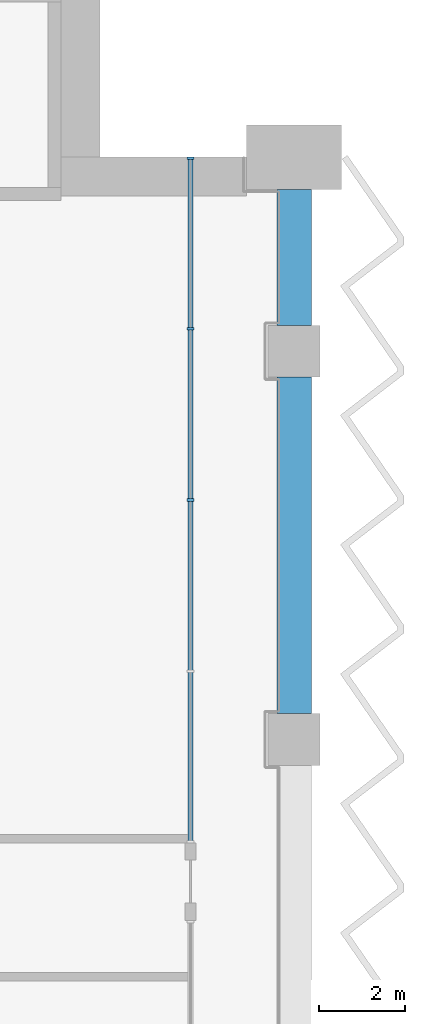
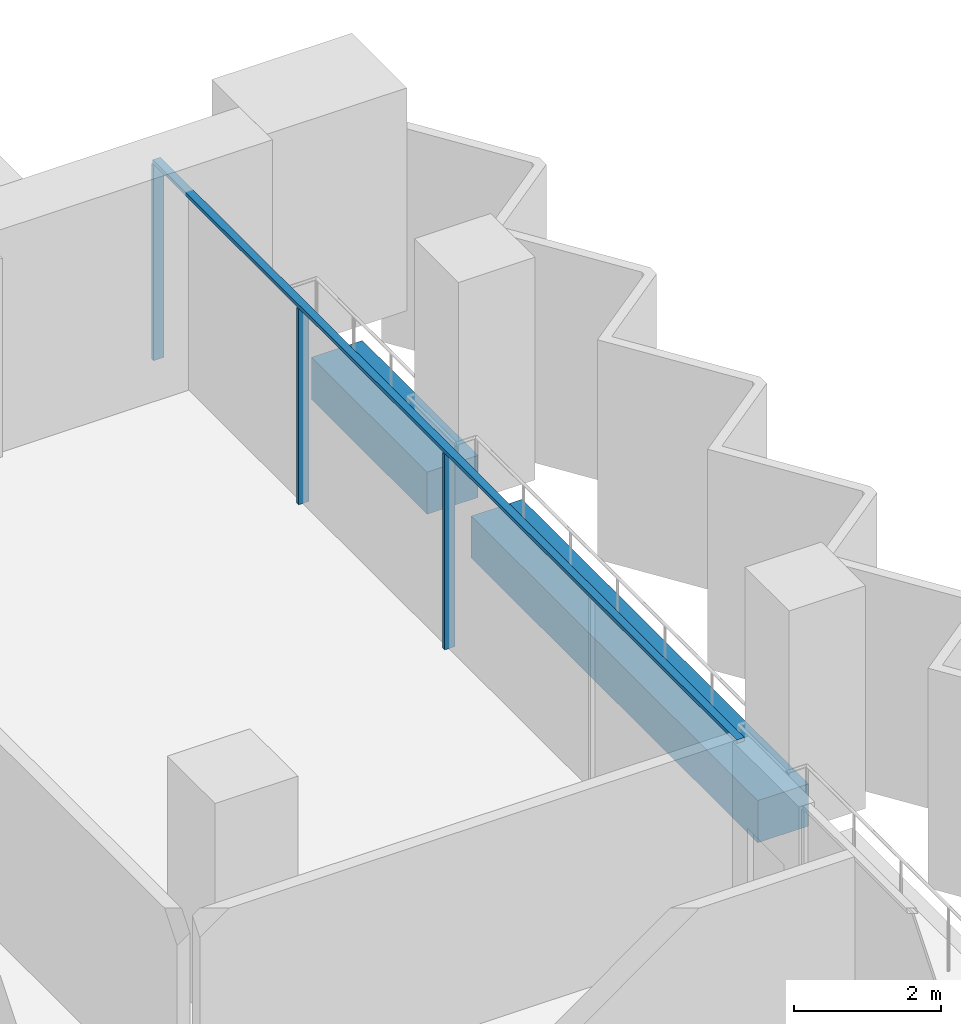
# One storey, part 6 of 23: 4 members, 2 beams, 1 element without a shape of its own.
"""IFC4 building model written with IfcOpenShell, lengths in metres."""

from ifc_helpers import new_model, si_unit, direction, frame, origin, origin_2d, place, context, subcontext, project, spatial, rectangle, extrude, material, material_profile, profile_set, type_object, element, aggregate, save


model = new_model("IFC4")

# Units and contexts
model_context = context("Model", 3, precision=1e-05, world=origin(), true_north=direction((0.0, 1.0)))
body_context = subcontext(model_context, "Body", "Model", "MODEL_VIEW")
ifc_project = project(units=[si_unit("LENGTHUNIT", "METRE"), si_unit("AREAUNIT", "SQUARE_METRE"), si_unit("VOLUMEUNIT", "CUBIC_METRE"), si_unit("PLANEANGLEUNIT", "RADIAN"), si_unit("MASSUNIT", "GRAM", prefix="KILO")], contexts=[model_context])

# Site, building, storey
site_placement = place(None, origin())
site = spatial("IfcSite", under=ifc_project, at=site_placement, CompositionType="ELEMENT")
building_placement = place(site_placement, origin())
building = spatial("IfcBuilding", under=site, at=building_placement, Name="Hunhe Ridgeline Campus", CompositionType="ELEMENT")
storey_placement = place(building_placement, frame((0.0, 0.0, 95.89990234375)))
storey = spatial("IfcBuildingStorey", under=building, at=storey_placement, Name="L23", CompositionType="ELEMENT", Elevation=95.89990234375)

# Curtain wall, members
ifc_material_1 = material(Name="Aluminium 6063", Category="aluminium")
curtain_wall_type = type_object("IfcCurtainWallType", Name="Curtain wall CW-1", PredefinedType="NOTDEFINED", material=ifc_material_1)
curtain_wall_placement = place(storey_placement, origin())
curtain_wall = element("IfcCurtainWall", 1, at=curtain_wall_placement, inside=storey, type_object=curtain_wall_type, Name="Curtain wall 15", PredefinedType="NOTDEFINED")
ifc_material_profile_1 = material_profile(ifc_material_1, rectangle(XDim=0.159912109375, YDim=0.06005859375, at=origin_2d()))
ifc_profile_set_1 = profile_set([ifc_material_profile_1], Name="Aluminium 6063")
member_type_1 = type_object("IfcMemberType", Name="CW-1 aluminium mullion", PredefinedType="MULLION", material=ifc_profile_set_1)
member_1_placement = place(storey_placement, frame((78.59912109375, 86.55029296875, 0.0), z_axis=(0.0, 0.0, 1.0), x_axis=(-1.0, 0.0, 0.0)))
member_1 = element("IfcMember", 2, at=member_1_placement, type_object=member_type_1, Name="CW-1 mullion 3", PredefinedType="MULLION", context=body_context, shape_type="SweptSolid", body=[
    extrude(rectangle(XDim=0.159912109375, YDim=0.06005859375, at=origin_2d()), origin(), (0.0, 0.0, 1.0), 3.239990234375),
])
member_2_placement = place(storey_placement, frame((78.59912109375, 90.525146484375, 0.0), z_axis=(0.0, 0.0, 1.0), x_axis=(-1.0, 0.0, 0.0)))
member_2 = element("IfcMember", 3, at=member_2_placement, type_object=member_type_1, Name="CW-1 mullion 4", PredefinedType="MULLION", context=body_context, shape_type="SweptSolid", body=[
    extrude(rectangle(XDim=0.159912109375, YDim=0.06005859375, at=origin_2d()), origin(), (0.0, 0.0, 1.0), 3.239990234375),
])
member_3_placement = place(storey_placement, frame((78.59912109375, 94.469970703125, 0.0), z_axis=(0.0, 0.0, 1.0), x_axis=(-1.0, 0.0, 0.0)))
member_3 = element("IfcMember", 4, at=member_3_placement, type_object=member_type_1, Name="CW-1 mullion 5", PredefinedType="MULLION", context=body_context, shape_type="SweptSolid", body=[
    extrude(rectangle(XDim=0.159912109375, YDim=0.06005859375, at=origin_2d()), origin(), (0.0, 0.0, 1.0), 3.239990234375),
])
ifc_material_profile_2 = material_profile(ifc_material_1, rectangle(XDim=0.1201171875, YDim=0.06005859375, at=origin_2d()))
ifc_profile_set_2 = profile_set([ifc_material_profile_2], Name="Aluminium 6063")
member_type_2 = type_object("IfcMemberType", Name="CW-1 aluminium transom", PredefinedType="USERDEFINED", material=ifc_profile_set_2)
member_4_placement = place(storey_placement, frame((78.59912109375, 78.6005859375, 3.27001953125), z_axis=(0.0, 1.0, 0.0), x_axis=(-1.0, 0.0, 0.0)))
member_4 = element("IfcMember", 5, at=member_4_placement, type_object=member_type_2, Name="CW-1 transom 1", ObjectType="TRANSOM", PredefinedType="USERDEFINED", context=body_context, shape_type="SweptSolid", body=[
    extrude(rectangle(XDim=0.1201171875, YDim=0.06005859375, at=origin_2d()), origin(), (0.0, 0.0, 1.0), 15.8994140625),
])
aggregate(curtain_wall, [member_4, member_1, member_2, member_3])

# Beams
ifc_material_2 = material(Name="Concrete C60", Category="concrete")
ifc_material_profile_3 = material_profile(ifc_material_2, rectangle(XDim=0.800048828125, YDim=0.699951171875, at=origin_2d()))
ifc_profile_set_3 = profile_set([ifc_material_profile_3], Name="Concrete C60")
beam_type = type_object("IfcBeamType", Name="RC spandrel beam 800x700 Concrete C60", PredefinedType="SPANDREL", material=ifc_profile_set_3)
beam_1_placement = place(storey_placement, frame((81.0, 81.60009765625, -0.599853515625), z_axis=(0.0, 1.0, 0.0), x_axis=(-1.0, 0.0, 0.0)))
element("IfcBeam", 6, at=beam_1_placement, inside=storey, type_object=beam_type, Name="Spandrel beam B1-21 L23", PredefinedType="SPANDREL", context=body_context, shape_type="SweptSolid", body=[
    extrude(rectangle(XDim=0.800048828125, YDim=0.699951171875, at=origin_2d()), origin(), (0.0, 0.0, 1.0), 7.7998046875),
])
beam_2_placement = place(storey_placement, frame((81.0, 90.60009765625, -0.599853515625), z_axis=(0.0, 1.0, 0.0), x_axis=(-1.0, 0.0, 0.0)))
element("IfcBeam", 7, at=beam_2_placement, inside=storey, type_object=beam_type, Name="Spandrel beam B1-22 L23", PredefinedType="SPANDREL", context=body_context, shape_type="SweptSolid", body=[
    extrude(rectangle(XDim=0.800048828125, YDim=0.699951171875, at=origin_2d()), origin(), (0.0, 0.0, 1.0), 3.14990234375),
])

save(model, "model.ifc")
